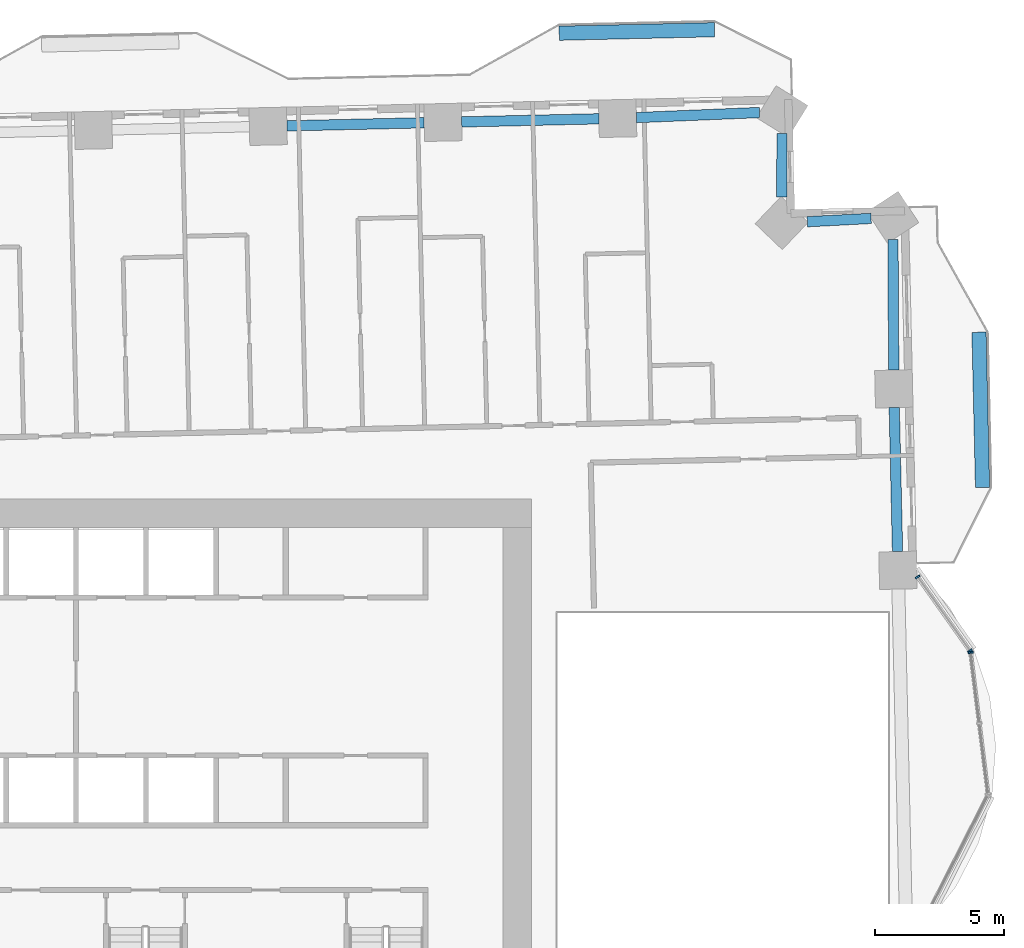
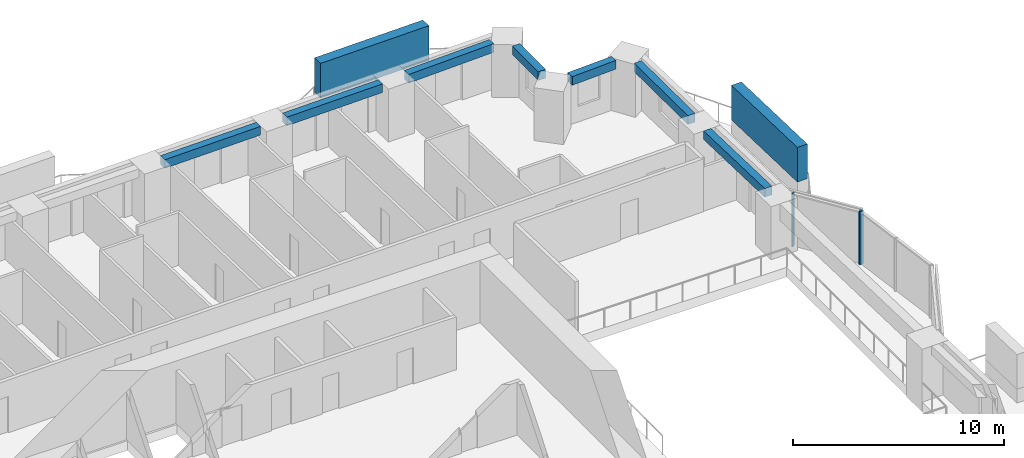
# One storey, part 4 of 17: 7 beams, 5 members, 2 elements without a shape of their own.
"""IFC4 building model written with IfcOpenShell, lengths in metres."""

from ifc_helpers import new_model, si_unit, direction, frame, origin, origin_2d, place, context, subcontext, project, spatial, rectangle, extrude, material, material_profile, profile_set, type_object, element, aggregate, save


model = new_model("IFC4")

# Units and contexts
model_context = context("Model", 3, precision=1e-05, world=origin(), true_north=direction((0.0, 1.0)))
body_context = subcontext(model_context, "Body", "Model", "MODEL_VIEW")
ifc_project = project(units=[si_unit("LENGTHUNIT", "METRE"), si_unit("AREAUNIT", "SQUARE_METRE"), si_unit("VOLUMEUNIT", "CUBIC_METRE"), si_unit("PLANEANGLEUNIT", "RADIAN"), si_unit("MASSUNIT", "GRAM", prefix="KILO")], contexts=[model_context])

# Site, building, storey
site_placement = place(None, origin())
site = spatial("IfcSite", under=ifc_project, at=site_placement, CompositionType="ELEMENT")
building_placement = place(site_placement, origin())
building = spatial("IfcBuilding", under=site, at=building_placement, Name="Mangrove Gate Tower", CompositionType="ELEMENT")
storey_placement = place(building_placement, frame((0.0, 0.0, 82.89990234375)))
storey = spatial("IfcBuildingStorey", under=building, at=storey_placement, Name="L20", CompositionType="ELEMENT", Elevation=82.89990234375)

# Curtain wall, member
ifc_material_1 = material(Name="Aluminium and glass curtain wall", Category="aluminium")
curtain_wall_type = type_object("IfcCurtainWallType", Name="Atrium garden-court glazing wall", PredefinedType="NOTDEFINED", material=ifc_material_1)
curtain_wall_1_placement = place(storey_placement, origin())
curtain_wall_1 = element("IfcCurtainWall", 1, at=curtain_wall_1_placement, inside=storey, type_object=curtain_wall_type, Name="Atrium garden-court glazing E1f2", PredefinedType="NOTDEFINED")
ifc_material_2 = material(Name="Aluminium alloy 6063-T6", Category="aluminium")
ifc_material_profile_1 = material_profile(ifc_material_2, rectangle(XDim=0.070068359375, YDim=0.199951171875, at=origin_2d()))
ifc_profile_set_1 = profile_set([ifc_material_profile_1], Name="Aluminium alloy 6063-T6")
member_type_1 = type_object("IfcMemberType", Name="Atrium garden-court glazing mullion 70x200", PredefinedType="MULLION", material=ifc_profile_set_1)
member_1_placement = place(storey_placement, frame((31.85546875, 5.97509765625, 0.0), z_axis=(0.0, 0.0, 1.0), x_axis=(-0.122172286076, 0.992508908028, 0.0)))
member_1 = element("IfcMember", 2, at=member_1_placement, type_object=member_type_1, Name="CWA mullion 3", PredefinedType="MULLION", context=body_context, shape_type="SweptSolid", body=[
    extrude(rectangle(XDim=0.070068359375, YDim=0.199951171875, at=origin_2d()), origin(), (0.0, 0.0, 1.0), 3.050048828125),
])
aggregate(curtain_wall_1, [member_1])

# Curtain wall, members
curtain_wall_2_placement = place(storey_placement, origin())
curtain_wall_2 = element("IfcCurtainWall", 3, at=curtain_wall_2_placement, inside=storey, type_object=curtain_wall_type, Name="Atrium garden-court glazing E1f3", PredefinedType="NOTDEFINED")
member_2_placement = place(storey_placement, frame((31.8310546875, 6.038330078125, 0.0), z_axis=(0.0, 0.0, 1.0), x_axis=(-0.578109291006, 0.815959341911, 0.0)))
member_2 = element("IfcMember", 4, at=member_2_placement, type_object=member_type_1, Name="CWA mullion 1", PredefinedType="MULLION", context=body_context, shape_type="SweptSolid", body=[
    extrude(rectangle(XDim=0.070068359375, YDim=0.199951171875, at=origin_2d()), origin(), (0.0, 0.0, 1.0), 3.050048828125),
])
member_3_placement = place(storey_placement, frame((29.808837890625, 8.892578125, 0.0), z_axis=(0.0, 0.0, 1.0), x_axis=(-0.578109291006, 0.815959341911, 0.0)))
member_3 = element("IfcMember", 5, at=member_3_placement, type_object=member_type_1, Name="CWA mullion 2", PredefinedType="MULLION", context=body_context, shape_type="SweptSolid", body=[
    extrude(rectangle(XDim=0.070068359375, YDim=0.199951171875, at=origin_2d()), origin(), (0.0, 0.0, 1.0), 3.050048828125),
])
aggregate(curtain_wall_2, [member_2, member_3])

# Members
ifc_material_3 = material(Name="Planting on aluminium trellis", Category="aluminium")
ifc_material_profile_2 = material_profile(ifc_material_3, rectangle(XDim=0.550048828125, YDim=2.0, at=origin_2d()))
ifc_profile_set_2 = profile_set([ifc_material_profile_2], Name="Planting on aluminium trellis")
member_type_2 = type_object("IfcMemberType", Name="Balcony greenery screen 550x2000", PredefinedType="USERDEFINED", material=ifc_profile_set_2)
member_4_placement = place(storey_placement, frame((32.31591796875, 12.35009765625, 1.800048828125), z_axis=(-0.022666865795, 0.999743073592, 0.0), x_axis=(-0.999743073592, -0.022666865795, 0.0)))
element("IfcMember", 6, at=member_4_placement, inside=storey, type_object=member_type_2, Name="GREEN SCREEN L20 E1.1", ObjectType="PLANTING", PredefinedType="USERDEFINED", context=body_context, shape_type="SweptSolid", body=[
    extrude(rectangle(XDim=0.550048828125, YDim=2.0, at=origin_2d()), origin(), (0.0, 0.0, 1.0), 5.999267578125),
])
member_5_placement = place(storey_placement, frame((15.962890625, 29.89794921875, 1.800048828125), z_axis=(0.999743094499, 0.022665943652, 0.0), x_axis=(-0.022665943652, 0.999743094499, 0.0)))
element("IfcMember", 7, at=member_5_placement, inside=storey, type_object=member_type_2, Name="GREEN SCREEN L20 N0.1", ObjectType="PLANTING", PredefinedType="USERDEFINED", context=body_context, shape_type="SweptSolid", body=[
    extrude(rectangle(XDim=0.550048828125, YDim=2.0, at=origin_2d()), origin(), (0.0, 0.0, 1.0), 5.99951171875),
])

# Beams
ifc_material_4 = material(Name="Concrete C50/60", Category="concrete")
ifc_material_profile_3 = material_profile(ifc_material_4, rectangle(XDim=0.39990234375, YDim=0.5, at=origin_2d()))
ifc_profile_set_3 = profile_set([ifc_material_profile_3], Name="Concrete C50/60")
beam_type = type_object("IfcBeamType", Name="Edge beam RC 400x500 C50/60", PredefinedType="BEAM", material=ifc_profile_set_3)
beam_1_placement = place(storey_placement, frame((29.03173828125, 9.874267578125, 2.800048828125), z_axis=(-0.022689504107, 0.999742560064, 0.0), x_axis=(-0.999742560064, -0.022689504107, 0.0)))
element("IfcBeam", 8, at=beam_1_placement, inside=storey, type_object=beam_type, Name="Edge beam L20 16", PredefinedType="BEAM", context=body_context, shape_type="SweptSolid", body=[
    extrude(rectangle(XDim=0.39990234375, YDim=0.5, at=origin_2d()), origin(), (0.0, 0.0, 1.0), 5.56298828125),
])
beam_2_placement = place(storey_placement, frame((28.884765625, 16.8857421875, 2.800048828125), z_axis=(-0.005913041255, 0.999982517819, 0.0), x_axis=(-0.999982517819, -0.005913041255, 0.0)))
element("IfcBeam", 9, at=beam_2_placement, inside=storey, type_object=beam_type, Name="Edge beam L20 17", PredefinedType="BEAM", context=body_context, shape_type="SweptSolid", body=[
    extrude(rectangle(XDim=0.39990234375, YDim=0.5, at=origin_2d()), origin(), (0.0, 0.0, 1.0), 5.037109375),
])
beam_3_placement = place(storey_placement, frame((28.01025390625, 22.744140625, 2.800048828125), z_axis=(-0.998640458058, -0.052127109352, 0.0), x_axis=(0.052127109352, -0.998640458058, 0.0)))
element("IfcBeam", 10, at=beam_3_placement, inside=storey, type_object=beam_type, Name="Edge beam L20 18", PredefinedType="BEAM", context=body_context, shape_type="SweptSolid", body=[
    extrude(rectangle(XDim=0.39990234375, YDim=0.5, at=origin_2d()), origin(), (0.0, 0.0, 1.0), 2.463623046875),
])
beam_4_placement = place(storey_placement, frame((24.5595703125, 23.5625, 2.800048828125), z_axis=(0.004370674455, 0.999990448557, 0.0), x_axis=(-0.999990448557, 0.004370674455, 0.0)))
element("IfcBeam", 11, at=beam_4_placement, inside=storey, type_object=beam_type, Name="Edge beam L20 19", PredefinedType="BEAM", context=body_context, shape_type="SweptSolid", body=[
    extrude(rectangle(XDim=0.39990234375, YDim=0.5, at=origin_2d()), origin(), (0.0, 0.0, 1.0), 2.457763671875),
])
beam_5_placement = place(storey_placement, frame((23.698974609375, 26.83447265625, 2.800048828125), z_axis=(-0.999148653995, -0.041254905393, 0.0), x_axis=(0.041254905393, -0.999148653995, 0.0)))
element("IfcBeam", 12, at=beam_5_placement, inside=storey, type_object=beam_type, Name="Edge beam L20 20", PredefinedType="BEAM", context=body_context, shape_type="SweptSolid", body=[
    extrude(rectangle(XDim=0.39990234375, YDim=0.5, at=origin_2d()), origin(), (0.0, 0.0, 1.0), 4.758056640625),
])
for number, where, z_axis, x_axis, name in (
    (13, (17.49560546875, 26.591796875, 2.800048828125), (-0.999743401946, -0.022652378823, 0.0), (0.022652378823, -0.999743401946, 0.0), "Edge beam L20 21"),
    (14, (10.74462890625, 26.438720703125, 2.800048828125), (-0.999743401946, -0.022652378823, 0.0), (0.022652378823, -0.999743401946, 0.0), "Edge beam L20 22"),
):
    element("IfcBeam", number, at=place(storey_placement, frame(where, z_axis=z_axis, x_axis=x_axis)), inside=storey, type_object=beam_type, Name=name, PredefinedType="BEAM", context=body_context, shape_type="SweptSolid", body=[
        extrude(rectangle(XDim=0.39990234375, YDim=0.5, at=origin_2d()), origin(), (0.0, 0.0, 1.0), 5.302734375),
    ])

save(model, "model.ifc")
